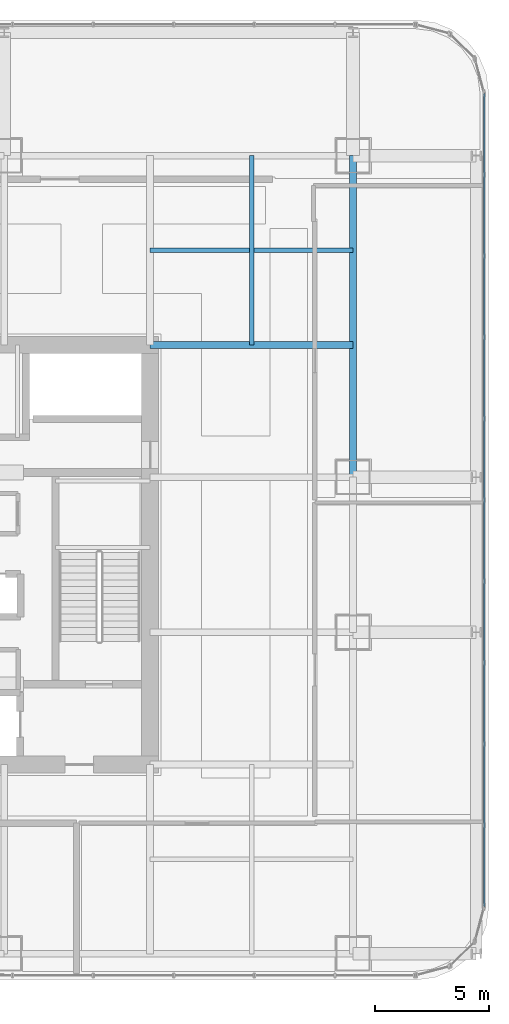
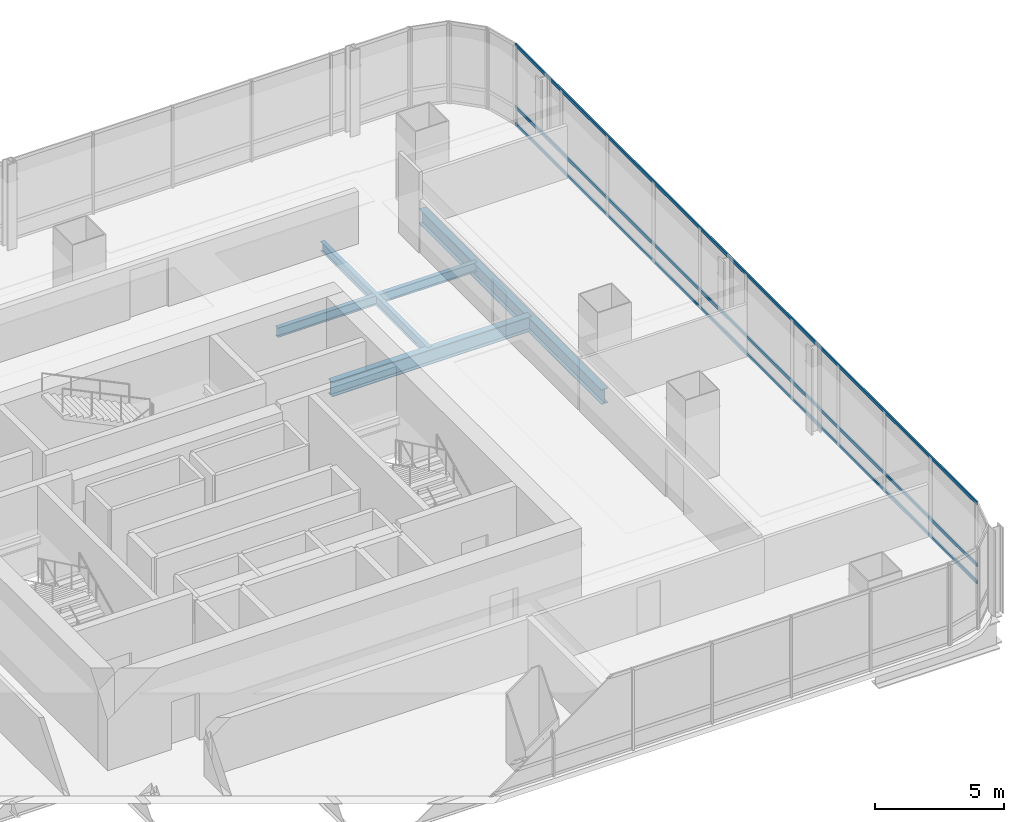
# One storey, part 17 of 34: 4 beams, 3 members, 1 element without a shape of its own.
"""IFC4 building model written with IfcOpenShell, lengths in metres."""

from ifc_helpers import new_model, si_unit, direction, frame, origin, origin_2d, place, context, subcontext, project, spatial, hollow_rectangle, i_section, extrude, material, material_profile, profile_set, type_object, element, aggregate, save


model = new_model("IFC4")

# Units and contexts
model_context = context("Model", 3, precision=1e-05, world=origin(), true_north=direction((0.0, 1.0)))
body_context = subcontext(model_context, "Body", "Model", "MODEL_VIEW")
ifc_project = project(units=[si_unit("LENGTHUNIT", "METRE"), si_unit("AREAUNIT", "SQUARE_METRE"), si_unit("VOLUMEUNIT", "CUBIC_METRE"), si_unit("PLANEANGLEUNIT", "RADIAN"), si_unit("MASSUNIT", "GRAM", prefix="KILO")], contexts=[model_context])

# Site, building, storey
site_placement = place(None, origin())
site = spatial("IfcSite", under=ifc_project, at=site_placement, CompositionType="ELEMENT")
building_placement = place(site_placement, origin())
building = spatial("IfcBuilding", under=site, at=building_placement, Name="Punatoya Terracotta Tower", CompositionType="ELEMENT")
storey_placement = place(building_placement, frame((0.0, 0.0, 105.14990234375)))
storey = spatial("IfcBuildingStorey", under=building, at=storey_placement, Name="L24", CompositionType="ELEMENT", Elevation=105.14990234375)

# Beams
ifc_material_1 = material(Name="Steel S355", Category="steel")
ifc_material_profile_1 = material_profile(ifc_material_1, i_section(OverallWidth=0.300048828125, OverallDepth=0.699951171875, WebThickness=0.01708984375, FlangeThickness=0.031982421875, FilletRadius=0.01806640625, at=origin_2d()))
ifc_profile_set_1 = profile_set([ifc_material_profile_1], Name="Steel S355")
beam_type_1 = type_object("IfcBeamType", Name="BM-PRI-700", PredefinedType="BEAM", material=ifc_profile_set_1)
beam_1_placement = place(storey_placement, frame((19.10009765625, 3.39990234375, -0.58984375), z_axis=(0.0, 1.0, 0.0), x_axis=(-1.0, 0.0, 0.0)))
element("IfcBeam", 1, at=beam_1_placement, inside=storey, type_object=beam_type_1, Name="BM-L24-RG-E3", PredefinedType="BEAM", context=body_context, shape_type="SweptSolid", body=[
    extrude(i_section(OverallWidth=0.300048828125, OverallDepth=0.699951171875, WebThickness=0.01708984375, FlangeThickness=0.031982421875, FilletRadius=0.01806640625, at=origin_2d()), origin(), (0.0, 0.0, 1.0), 14.10009765625),
])
beam_2_placement = place(storey_placement, frame((10.199951171875, 9.199951171875, -0.58984375), z_axis=(1.0, 0.0, 0.0), x_axis=(0.0, 1.0, 0.0)))
element("IfcBeam", 2, at=beam_2_placement, inside=storey, type_object=beam_type_1, Name="BM-L24-PR-EN", PredefinedType="BEAM", context=body_context, shape_type="SweptSolid", body=[
    extrude(i_section(OverallWidth=0.300048828125, OverallDepth=0.699951171875, WebThickness=0.01708984375, FlangeThickness=0.031982421875, FilletRadius=0.01806640625, at=origin_2d()), origin(), (0.0, 0.0, 1.0), 8.900146484375),
])
ifc_material_profile_2 = material_profile(ifc_material_1, i_section(OverallWidth=0.18994140625, OverallDepth=0.449951171875, WebThickness=0.009521484375, FlangeThickness=0.0146484375, FilletRadius=0.01806640625, at=origin_2d()))
ifc_profile_set_2 = profile_set([ifc_material_profile_2], Name="Steel S355")
beam_type_2 = type_object("IfcBeamType", Name="BM-SEC-450", PredefinedType="JOIST", material=ifc_profile_set_2)
beam_3_placement = place(storey_placement, frame((10.199951171875, 13.35009765625, -0.46484375), z_axis=(1.0, 0.0, 0.0), x_axis=(0.0, 1.0, 0.0)))
element("IfcBeam", 3, at=beam_3_placement, inside=storey, type_object=beam_type_2, Name="BM-L24-SJN-2", PredefinedType="JOIST", context=body_context, shape_type="SweptSolid", body=[
    extrude(i_section(OverallWidth=0.18994140625, OverallDepth=0.449951171875, WebThickness=0.009521484375, FlangeThickness=0.0146484375, FilletRadius=0.01806640625, at=origin_2d()), origin(), (0.0, 0.0, 1.0), 8.900146484375),
])
beam_4_placement = place(storey_placement, frame((14.64990234375, 9.199951171875, -0.46484375), z_axis=(0.0, 1.0, 0.0), x_axis=(-1.0, 0.0, 0.0)))
element("IfcBeam", 4, at=beam_4_placement, inside=storey, type_object=beam_type_2, Name="BM-L24-SJE-2", PredefinedType="JOIST", context=body_context, shape_type="SweptSolid", body=[
    extrude(i_section(OverallWidth=0.18994140625, OverallDepth=0.449951171875, WebThickness=0.009521484375, FlangeThickness=0.0146484375, FilletRadius=0.01806640625, at=origin_2d()), origin(), (0.0, 0.0, 1.0), 8.300048828125),
])

# Curtain wall, members
ifc_material_2 = material(Name="Aluminium 6063-T6 + Double Low-E Glass", Category="aluminium")
curtain_wall_type = type_object("IfcCurtainWallType", Name="CW-M1", PredefinedType="NOTDEFINED", material=ifc_material_2)
curtain_wall_placement = place(storey_placement, origin())
curtain_wall = element("IfcCurtainWall", 5, at=curtain_wall_placement, inside=storey, type_object=curtain_wall_type, Name="L24 Curtain Wall CW-L24-E05-1", PredefinedType="NOTDEFINED")
ifc_material_3 = material(Name="Aluminium 6063-T6", Category="aluminium")
ifc_material_profile_3 = material_profile(ifc_material_3, hollow_rectangle(XDim=0.068115234375, YDim=0.14990234375, WallThickness=0.00390625, at=origin_2d()))
ifc_profile_set_3 = profile_set([ifc_material_profile_3], Name="Aluminium 6063-T6")
member_type = type_object("IfcMemberType", Name="CW-TRN-TYP", PredefinedType="USERDEFINED", material=ifc_profile_set_3)
member_1_placement = place(storey_placement, frame((24.85009765625, -15.43701171875, 0.0400390625), z_axis=(0.0, 1.0, 0.0), x_axis=(-1.0, 0.0, 0.0)))
member_1 = element("IfcMember", 6, at=member_1_placement, type_object=member_type, Name="CW-L24-E05-1 Transom 1", ObjectType="TRANSOM", PredefinedType="USERDEFINED", context=body_context, shape_type="SweptSolid", body=[
    extrude(hollow_rectangle(XDim=0.068115234375, YDim=0.14990234375, WallThickness=0.00390625, at=origin_2d()), origin(), (0.0, 0.0, 1.0), 35.673828125),
])
member_2_placement = place(storey_placement, frame((24.85009765625, -15.43701171875, 0.85009765625), z_axis=(0.0, 1.0, 0.0), x_axis=(-1.0, 0.0, 0.0)))
member_2 = element("IfcMember", 7, at=member_2_placement, type_object=member_type, Name="CW-L24-E05-1 Transom 2", ObjectType="TRANSOM", PredefinedType="USERDEFINED", context=body_context, shape_type="SweptSolid", body=[
    extrude(hollow_rectangle(XDim=0.068115234375, YDim=0.14990234375, WallThickness=0.00390625, at=origin_2d()), origin(), (0.0, 0.0, 1.0), 35.673828125),
])
member_3_placement = place(storey_placement, frame((24.85009765625, -15.43701171875, 3.77001953125), z_axis=(0.0, 1.0, 0.0), x_axis=(-1.0, 0.0, 0.0)))
member_3 = element("IfcMember", 8, at=member_3_placement, type_object=member_type, Name="CW-L24-E05-1 Transom 3", ObjectType="TRANSOM", PredefinedType="USERDEFINED", context=body_context, shape_type="SweptSolid", body=[
    extrude(hollow_rectangle(XDim=0.068115234375, YDim=0.14990234375, WallThickness=0.00390625, at=origin_2d()), origin(), (0.0, 0.0, 1.0), 35.673828125),
])
aggregate(curtain_wall, [member_1, member_2, member_3])

save(model, "model.ifc")
